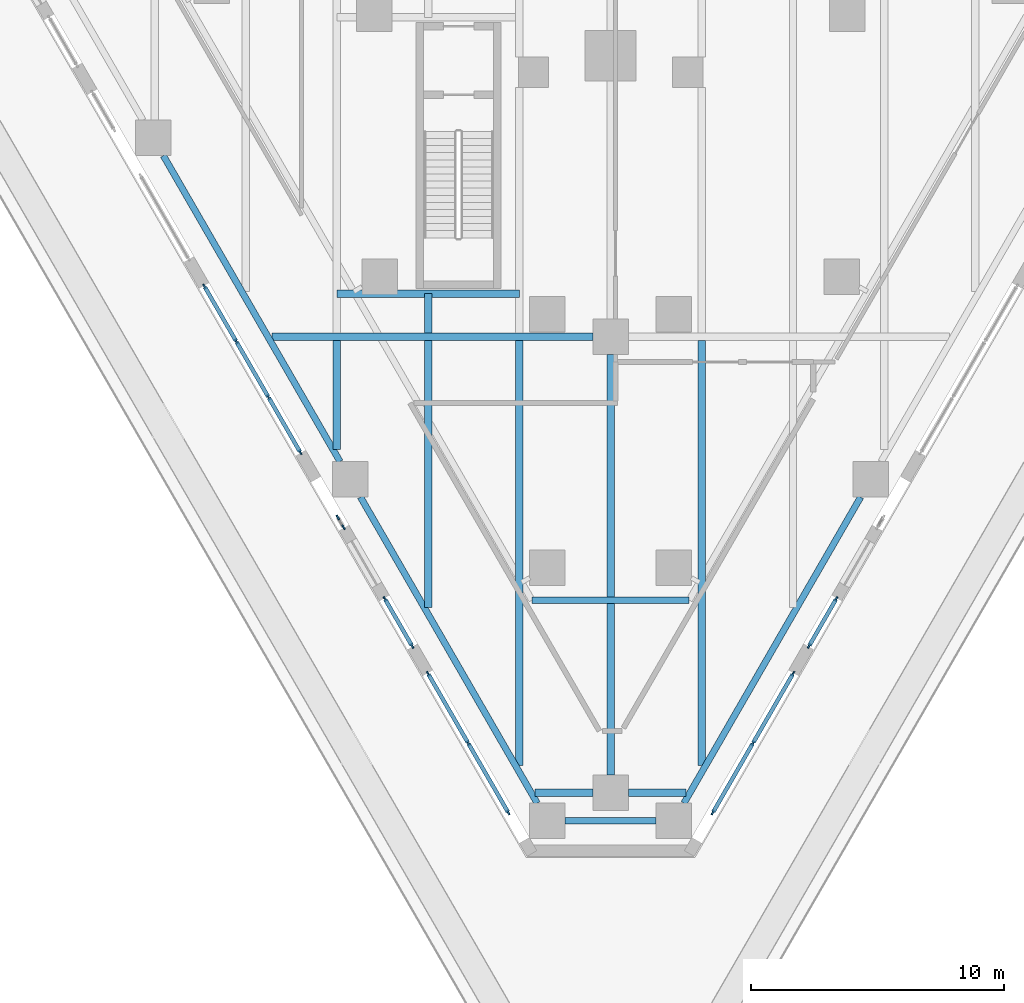
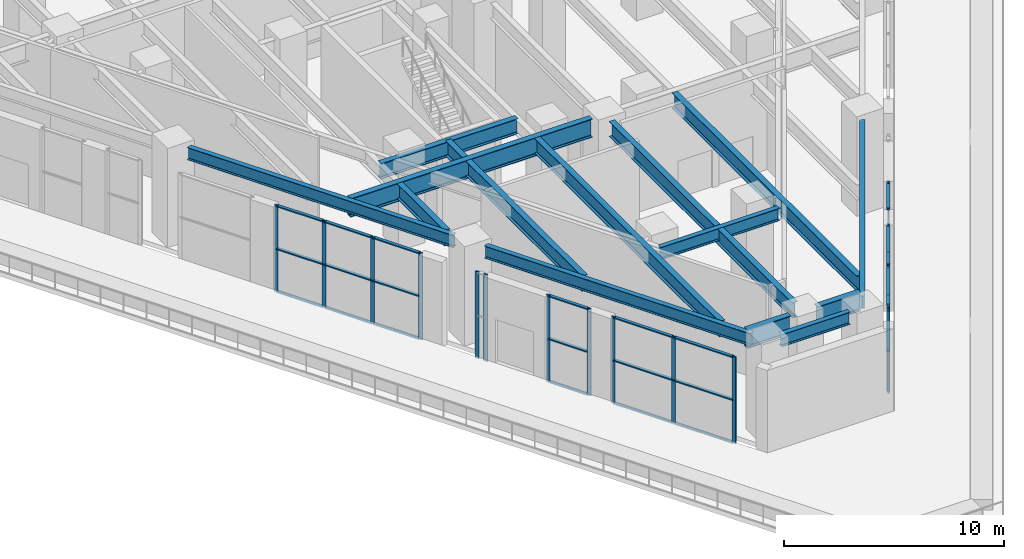
# One storey, part 2 of 30: 43 members, 15 beams, 6 elements without a shape of their own.
"""IFC4 building model written with IfcOpenShell, lengths in metres."""

from ifc_helpers import new_model, si_unit, direction, frame, origin, origin_2d, place, context, subcontext, project, spatial, rectangle, i_section, extrude, material, material_profile, profile_set, type_object, element, aggregate, save


model = new_model("IFC4")

# Units and contexts
model_context = context("Model", 3, precision=1e-05, world=origin(), true_north=direction((0.0, 1.0)))
body_context = subcontext(model_context, "Body", "Model", "MODEL_VIEW")
ifc_project = project(units=[si_unit("LENGTHUNIT", "METRE"), si_unit("AREAUNIT", "SQUARE_METRE"), si_unit("VOLUMEUNIT", "CUBIC_METRE"), si_unit("PLANEANGLEUNIT", "RADIAN"), si_unit("MASSUNIT", "GRAM", prefix="KILO")], contexts=[model_context])

# Site, building, storey
site_placement = place(None, origin())
site = spatial("IfcSite", under=ifc_project, at=site_placement, CompositionType="ELEMENT")
building_placement = place(site_placement, origin())
building = spatial("IfcBuilding", under=site, at=building_placement, Name="Aloe Facet Convention Tower", CompositionType="ELEMENT")
storey_placement = place(building_placement, frame((0.0, 0.0, 19.5)))
storey = spatial("IfcBuildingStorey", under=building, at=storey_placement, Name="L03", CompositionType="ELEMENT", Elevation=19.5)

# Beam
ifc_material_1 = material(Name="Steel S355", Category="steel")
ifc_material_profile_1 = material_profile(ifc_material_1, i_section(OverallWidth=0.25439453125, OverallDepth=0.6875, WebThickness=0.01318359375, FlangeThickness=0.02099609375, FilletRadius=0.01513671875, at=origin_2d()), Name="UB 686x254x152")
ifc_profile_set_1 = profile_set([ifc_material_profile_1], Name="Steel S355")
beam_type_1 = type_object("IfcBeamType", Name="EV-EB-UB686x254x152", PredefinedType="BEAM", material=ifc_profile_set_1)
beam_1_placement = place(storey_placement, frame((76.89501953125, 70.598876953125, 4.90625), z_axis=(1.0, 0.0, 0.0), x_axis=(0.0, 1.0, 0.0)))
element("IfcBeam", 1, at=beam_1_placement, inside=storey, type_object=beam_type_1, Name="EB-L04-B", PredefinedType="BEAM", context=body_context, shape_type="SweptSolid", body=[
    extrude(i_section(OverallWidth=0.25439453125, OverallDepth=0.6875, WebThickness=0.01318359375, FlangeThickness=0.02099609375, FilletRadius=0.01513671875, at=origin_2d()), origin(), (0.0, 0.0, 1.0), 6.2099609375),
])

# Curtain wall, members
ifc_material_2 = material(Name="Aluminium, anodised", Category="aluminium")
curtain_wall_type = type_object("IfcCurtainWallType", Name="EV-CW-HALL", PredefinedType="USERDEFINED", material=ifc_material_2)
curtain_wall_1_placement = place(storey_placement, origin())
curtain_wall_1 = element("IfcCurtainWall", 2, at=curtain_wall_1_placement, inside=storey, type_object=curtain_wall_type, Name="CW-L03-W14", ObjectType="UNITISED HALL GLAZING", PredefinedType="USERDEFINED")
ifc_material_3 = material(Name="Aluminium, anodised", Category="aluminium")
ifc_material_profile_2 = material_profile(ifc_material_3, rectangle(XDim=0.06494140625, YDim=0.199951171875, at=origin_2d()), Name="AL 65x200")
ifc_profile_set_2 = profile_set([ifc_material_profile_2], Name="Aluminium, anodised")
member_type_1 = type_object("IfcMemberType", Name="EV-MULL-HALL", PredefinedType="MULLION", material=ifc_profile_set_2)
member_1_placement = place(storey_placement, frame((63.970947265625, 82.983642578125, -0.25), z_axis=(0.0, 0.0, 1.0), x_axis=(0.866025403802, 0.49999999997, 0.0)))
member_1 = element("IfcMember", 3, at=member_1_placement, type_object=member_type_1, Name="CW-L03-W14 mullion 1", PredefinedType="MULLION", context=body_context, shape_type="SweptSolid", body=[
    extrude(rectangle(XDim=0.06494140625, YDim=0.199951171875, at=origin_2d()), origin(), (0.0, 0.0, 1.0), 4.8125),
])
member_2_placement = place(storey_placement, frame((65.225830078125, 80.81005859375, -0.25), z_axis=(0.0, 0.0, 1.0), x_axis=(0.866025403802, 0.49999999997, 0.0)))
member_2 = element("IfcMember", 4, at=member_2_placement, type_object=member_type_1, Name="CW-L03-W14 mullion 2", PredefinedType="MULLION", context=body_context, shape_type="SweptSolid", body=[
    extrude(rectangle(XDim=0.06494140625, YDim=0.199951171875, at=origin_2d()), origin(), (0.0, 0.0, 1.0), 4.8125),
])
member_3_placement = place(storey_placement, frame((66.496826171875, 78.6083984375, -0.25), z_axis=(0.0, 0.0, 1.0), x_axis=(0.866025403802, 0.49999999997, 0.0)))
member_3 = element("IfcMember", 5, at=member_3_placement, type_object=member_type_1, Name="CW-L03-W14 mullion 3", PredefinedType="MULLION", context=body_context, shape_type="SweptSolid", body=[
    extrude(rectangle(XDim=0.06494140625, YDim=0.199951171875, at=origin_2d()), origin(), (0.0, 0.0, 1.0), 4.8125),
])
member_4_placement = place(storey_placement, frame((67.751708984375, 76.43505859375, -0.25), z_axis=(0.0, 0.0, 1.0), x_axis=(0.866025403802, 0.49999999997, 0.0)))
member_4 = element("IfcMember", 6, at=member_4_placement, type_object=member_type_1, Name="CW-L03-W14 mullion 4", PredefinedType="MULLION", context=body_context, shape_type="SweptSolid", body=[
    extrude(rectangle(XDim=0.06494140625, YDim=0.199951171875, at=origin_2d()), origin(), (0.0, 0.0, 1.0), 4.8125),
])

curtain_wall_2_placement = place(storey_placement, origin())
curtain_wall_2 = element("IfcCurtainWall", 7, at=curtain_wall_2_placement, inside=storey, type_object=curtain_wall_type, Name="CW-L03-W16A", ObjectType="UNITISED HALL GLAZING", PredefinedType="USERDEFINED")
member_5_placement = place(storey_placement, frame((69.23681640625, 73.863037109375, -0.25), z_axis=(0.0, 0.0, 1.0), x_axis=(0.866025403549, 0.500000000408, 0.0)))
member_5 = element("IfcMember", 8, at=member_5_placement, type_object=member_type_1, Name="CW-L03-W16A mullion 1", PredefinedType="MULLION", context=body_context, shape_type="SweptSolid", body=[
    extrude(rectangle(XDim=0.06494140625, YDim=0.199951171875, at=origin_2d()), origin(), (0.0, 0.0, 1.0), 4.8125),
])
member_6_placement = place(storey_placement, frame((69.45849609375, 73.47900390625, -0.25), z_axis=(0.0, 0.0, 1.0), x_axis=(0.866025403549, 0.500000000408, 0.0)))
member_6 = element("IfcMember", 9, at=member_6_placement, type_object=member_type_1, Name="CW-L03-W16A mullion 2", PredefinedType="MULLION", context=body_context, shape_type="SweptSolid", body=[
    extrude(rectangle(XDim=0.06494140625, YDim=0.199951171875, at=origin_2d()), origin(), (0.0, 0.0, 1.0), 4.8125),
])
aggregate(curtain_wall_2, [member_5, member_6])

curtain_wall_3_placement = place(storey_placement, origin())
curtain_wall_3 = element("IfcCurtainWall", 10, at=curtain_wall_3_placement, inside=storey, type_object=curtain_wall_type, Name="CW-L03-W16B", ObjectType="UNITISED HALL GLAZING", PredefinedType="USERDEFINED")
member_7_placement = place(storey_placement, frame((71.091064453125, 70.6513671875, -0.25), z_axis=(0.0, 0.0, 1.0), x_axis=(0.866025403767, 0.50000000003, 0.0)))
member_7 = element("IfcMember", 11, at=member_7_placement, type_object=member_type_1, Name="CW-L03-W16B mullion 1", PredefinedType="MULLION", context=body_context, shape_type="SweptSolid", body=[
    extrude(rectangle(XDim=0.06494140625, YDim=0.199951171875, at=origin_2d()), origin(), (0.0, 0.0, 1.0), 4.8125),
])
member_8_placement = place(storey_placement, frame((72.165283203125, 68.790771484375, -0.25), z_axis=(0.0, 0.0, 1.0), x_axis=(0.866025403767, 0.50000000003, 0.0)))
member_8 = element("IfcMember", 12, at=member_8_placement, type_object=member_type_1, Name="CW-L03-W16B mullion 2", PredefinedType="MULLION", context=body_context, shape_type="SweptSolid", body=[
    extrude(rectangle(XDim=0.06494140625, YDim=0.199951171875, at=origin_2d()), origin(), (0.0, 0.0, 1.0), 4.8125),
])

curtain_wall_4_placement = place(storey_placement, origin())
curtain_wall_4 = element("IfcCurtainWall", 13, at=curtain_wall_4_placement, inside=storey, type_object=curtain_wall_type, Name="CW-L03-W18", ObjectType="UNITISED HALL GLAZING", PredefinedType="USERDEFINED")
member_9_placement = place(storey_placement, frame((72.797607421875, 67.6953125, -0.25), z_axis=(0.0, 0.0, 1.0), x_axis=(0.866025403758, 0.500000000045, 0.0)))
member_9 = element("IfcMember", 14, at=member_9_placement, type_object=member_type_1, Name="CW-L03-W18 mullion 1", PredefinedType="MULLION", context=body_context, shape_type="SweptSolid", body=[
    extrude(rectangle(XDim=0.06494140625, YDim=0.199951171875, at=origin_2d()), origin(), (0.0, 0.0, 1.0), 4.8125),
])
member_10_placement = place(storey_placement, frame((74.3798828125, 64.95458984375, -0.25), z_axis=(0.0, 0.0, 1.0), x_axis=(0.866025403758, 0.500000000045, 0.0)))
member_10 = element("IfcMember", 15, at=member_10_placement, type_object=member_type_1, Name="CW-L03-W18 mullion 2", PredefinedType="MULLION", context=body_context, shape_type="SweptSolid", body=[
    extrude(rectangle(XDim=0.06494140625, YDim=0.199951171875, at=origin_2d()), origin(), (0.0, 0.0, 1.0), 4.8125),
])
member_11_placement = place(storey_placement, frame((75.962158203125, 62.214111328125, -0.25), z_axis=(0.0, 0.0, 1.0), x_axis=(0.866025403758, 0.500000000045, 0.0)))
member_11 = element("IfcMember", 16, at=member_11_placement, type_object=member_type_1, Name="CW-L03-W18 mullion 3", PredefinedType="MULLION", context=body_context, shape_type="SweptSolid", body=[
    extrude(rectangle(XDim=0.06494140625, YDim=0.199951171875, at=origin_2d()), origin(), (0.0, 0.0, 1.0), 4.8125),
])

curtain_wall_5_placement = place(storey_placement, origin())
curtain_wall_5 = element("IfcCurtainWall", 17, at=curtain_wall_5_placement, inside=storey, type_object=curtain_wall_type, Name="CW-L03-E02", ObjectType="UNITISED HALL GLAZING", PredefinedType="USERDEFINED")
member_12_placement = place(storey_placement, frame((84.037841796875, 62.214111328125, -0.25), z_axis=(0.0, 0.0, 1.0), x_axis=(-0.866025403758, 0.500000000045, 0.0)))
member_12 = element("IfcMember", 18, at=member_12_placement, type_object=member_type_1, Name="CW-L03-E02 mullion 1", PredefinedType="MULLION", context=body_context, shape_type="SweptSolid", body=[
    extrude(rectangle(XDim=0.06494140625, YDim=0.199951171875, at=origin_2d()), origin(), (0.0, 0.0, 1.0), 4.8125),
])
member_13_placement = place(storey_placement, frame((85.6201171875, 64.95458984375, -0.25), z_axis=(0.0, 0.0, 1.0), x_axis=(-0.866025403758, 0.500000000045, 0.0)))
member_13 = element("IfcMember", 19, at=member_13_placement, type_object=member_type_1, Name="CW-L03-E02 mullion 2", PredefinedType="MULLION", context=body_context, shape_type="SweptSolid", body=[
    extrude(rectangle(XDim=0.06494140625, YDim=0.199951171875, at=origin_2d()), origin(), (0.0, 0.0, 1.0), 4.8125),
])
member_14_placement = place(storey_placement, frame((87.202392578125, 67.6953125, -0.25), z_axis=(0.0, 0.0, 1.0), x_axis=(-0.866025403758, 0.500000000045, 0.0)))
member_14 = element("IfcMember", 20, at=member_14_placement, type_object=member_type_1, Name="CW-L03-E02 mullion 3", PredefinedType="MULLION", context=body_context, shape_type="SweptSolid", body=[
    extrude(rectangle(XDim=0.06494140625, YDim=0.199951171875, at=origin_2d()), origin(), (0.0, 0.0, 1.0), 4.8125),
])

curtain_wall_6_placement = place(storey_placement, origin())
curtain_wall_6 = element("IfcCurtainWall", 21, at=curtain_wall_6_placement, inside=storey, type_object=curtain_wall_type, Name="CW-L03-E04A", ObjectType="UNITISED HALL GLAZING", PredefinedType="USERDEFINED")
member_15_placement = place(storey_placement, frame((87.834716796875, 68.790771484375, -0.25), z_axis=(0.0, 0.0, 1.0), x_axis=(-0.866025403767, 0.50000000003, 0.0)))
member_15 = element("IfcMember", 22, at=member_15_placement, type_object=member_type_1, Name="CW-L03-E04A mullion 1", PredefinedType="MULLION", context=body_context, shape_type="SweptSolid", body=[
    extrude(rectangle(XDim=0.06494140625, YDim=0.199951171875, at=origin_2d()), origin(), (0.0, 0.0, 1.0), 4.8125),
])
member_16_placement = place(storey_placement, frame((88.908935546875, 70.6513671875, -0.25), z_axis=(0.0, 0.0, 1.0), x_axis=(-0.866025403767, 0.50000000003, 0.0)))
member_16 = element("IfcMember", 23, at=member_16_placement, type_object=member_type_1, Name="CW-L03-E04A mullion 2", PredefinedType="MULLION", context=body_context, shape_type="SweptSolid", body=[
    extrude(rectangle(XDim=0.06494140625, YDim=0.199951171875, at=origin_2d()), origin(), (0.0, 0.0, 1.0), 4.8125),
])

# Member
ifc_material_4 = material(Name="Aluminium, anodised", Category="aluminium")
ifc_material_profile_3 = material_profile(ifc_material_4, rectangle(XDim=0.159912109375, YDim=0.06494140625, at=origin_2d()), Name="AL 160x65")
ifc_profile_set_3 = profile_set([ifc_material_profile_3], Name="Aluminium, anodised")
member_type_2 = type_object("IfcMemberType", Name="EV-TRAN-HALL", PredefinedType="USERDEFINED", material=ifc_profile_set_3)
member_17_placement = place(storey_placement, frame((63.9873046875, 82.95556640625, -0.217529296875), z_axis=(0.499941460885, -0.86605919872, 0.0), x_axis=(0.86605919872, 0.499941460885, 0.0)))
member_17 = element("IfcMember", 24, at=member_17_placement, type_object=member_type_2, Name="CW-L03-W14 transom 1.1", ObjectType="TRANSOM", PredefinedType="USERDEFINED", context=body_context, shape_type="SweptSolid", body=[
    extrude(rectangle(XDim=0.159912109375, YDim=0.06494140625, at=origin_2d()), origin(), (0.0, 0.0, 1.0), 2.444580078125),
])

member_18_placement = place(storey_placement, frame((63.9873046875, 82.95556640625, 2.15625), z_axis=(0.499941460885, -0.86605919872, 0.0), x_axis=(0.86605919872, 0.499941460885, 0.0)))
member_18 = element("IfcMember", 25, at=member_18_placement, type_object=member_type_2, Name="CW-L03-W14 transom 1.2", ObjectType="TRANSOM", PredefinedType="USERDEFINED", context=body_context, shape_type="SweptSolid", body=[
    extrude(rectangle(XDim=0.159912109375, YDim=0.06494140625, at=origin_2d()), origin(), (0.0, 0.0, 1.0), 2.444580078125),
])

member_19_placement = place(storey_placement, frame((63.9873046875, 82.95556640625, 4.530029296875), z_axis=(0.499941460885, -0.86605919872, 0.0), x_axis=(0.86605919872, 0.499941460885, 0.0)))
member_19 = element("IfcMember", 26, at=member_19_placement, type_object=member_type_2, Name="CW-L03-W14 transom 1.3", ObjectType="TRANSOM", PredefinedType="USERDEFINED", context=body_context, shape_type="SweptSolid", body=[
    extrude(rectangle(XDim=0.159912109375, YDim=0.06494140625, at=origin_2d()), origin(), (0.0, 0.0, 1.0), 2.444580078125),
])

member_20_placement = place(storey_placement, frame((65.2421875, 80.781982421875, -0.217529296875), z_axis=(0.499986929959, -0.866032949645, 0.0), x_axis=(0.866032949645, 0.499986929959, 0.0)))
member_20 = element("IfcMember", 27, at=member_20_placement, type_object=member_type_2, Name="CW-L03-W14 transom 2.1", ObjectType="TRANSOM", PredefinedType="USERDEFINED", context=body_context, shape_type="SweptSolid", body=[
    extrude(rectangle(XDim=0.159912109375, YDim=0.06494140625, at=origin_2d()), origin(), (0.0, 0.0, 1.0), 2.47705078125),
])

member_21_placement = place(storey_placement, frame((65.2421875, 80.781982421875, 2.15625), z_axis=(0.499986929959, -0.866032949645, 0.0), x_axis=(0.866032949645, 0.499986929959, 0.0)))
member_21 = element("IfcMember", 28, at=member_21_placement, type_object=member_type_2, Name="CW-L03-W14 transom 2.2", ObjectType="TRANSOM", PredefinedType="USERDEFINED", context=body_context, shape_type="SweptSolid", body=[
    extrude(rectangle(XDim=0.159912109375, YDim=0.06494140625, at=origin_2d()), origin(), (0.0, 0.0, 1.0), 2.47705078125),
])

member_22_placement = place(storey_placement, frame((65.2421875, 80.781982421875, 4.530029296875), z_axis=(0.499986929959, -0.866032949645, 0.0), x_axis=(0.866032949645, 0.499986929959, 0.0)))
member_22 = element("IfcMember", 29, at=member_22_placement, type_object=member_type_2, Name="CW-L03-W14 transom 2.3", ObjectType="TRANSOM", PredefinedType="USERDEFINED", context=body_context, shape_type="SweptSolid", body=[
    extrude(rectangle(XDim=0.159912109375, YDim=0.06494140625, at=origin_2d()), origin(), (0.0, 0.0, 1.0), 2.47705078125),
])

member_23_placement = place(storey_placement, frame((66.51318359375, 78.580322265625, -0.217529296875), z_axis=(0.500016362458, -0.866015956709, 0.0), x_axis=(0.866015956709, 0.500016362458, 0.0)))
member_23 = element("IfcMember", 30, at=member_23_placement, type_object=member_type_2, Name="CW-L03-W14 transom 3.1", ObjectType="TRANSOM", PredefinedType="USERDEFINED", context=body_context, shape_type="SweptSolid", body=[
    extrude(rectangle(XDim=0.159912109375, YDim=0.06494140625, at=origin_2d()), origin(), (0.0, 0.0, 1.0), 2.44482421875),
])

member_24_placement = place(storey_placement, frame((66.51318359375, 78.580322265625, 2.15625), z_axis=(0.500016362458, -0.866015956709, 0.0), x_axis=(0.866015956709, 0.500016362458, 0.0)))
member_24 = element("IfcMember", 31, at=member_24_placement, type_object=member_type_2, Name="CW-L03-W14 transom 3.2", ObjectType="TRANSOM", PredefinedType="USERDEFINED", context=body_context, shape_type="SweptSolid", body=[
    extrude(rectangle(XDim=0.159912109375, YDim=0.06494140625, at=origin_2d()), origin(), (0.0, 0.0, 1.0), 2.44482421875),
])

member_25_placement = place(storey_placement, frame((66.51318359375, 78.580322265625, 4.530029296875), z_axis=(0.500016362458, -0.866015956709, 0.0), x_axis=(0.866015956709, 0.500016362458, 0.0)))
member_25 = element("IfcMember", 32, at=member_25_placement, type_object=member_type_2, Name="CW-L03-W14 transom 3.3", ObjectType="TRANSOM", PredefinedType="USERDEFINED", context=body_context, shape_type="SweptSolid", body=[
    extrude(rectangle(XDim=0.159912109375, YDim=0.06494140625, at=origin_2d()), origin(), (0.0, 0.0, 1.0), 2.44482421875),
])

aggregate(curtain_wall_1, [member_1, member_2, member_3, member_4, member_17, member_18, member_19, member_20, member_21, member_22, member_23, member_24, member_25])

member_26_placement = place(storey_placement, frame((71.107177734375, 70.623291015625, -0.217529296875), z_axis=(0.499982789375, -0.866035340115, 0.0), x_axis=(0.866035340115, 0.499982789375, 0.0)))
member_26 = element("IfcMember", 33, at=member_26_placement, type_object=member_type_2, Name="CW-L03-W16B transom 1.1", ObjectType="TRANSOM", PredefinedType="USERDEFINED", context=body_context, shape_type="SweptSolid", body=[
    extrude(rectangle(XDim=0.159912109375, YDim=0.06494140625, at=origin_2d()), origin(), (0.0, 0.0, 1.0), 2.08349609375),
])

member_27_placement = place(storey_placement, frame((71.107177734375, 70.623291015625, 2.15625), z_axis=(0.499982789375, -0.866035340115, 0.0), x_axis=(0.866035340115, 0.499982789375, 0.0)))
member_27 = element("IfcMember", 34, at=member_27_placement, type_object=member_type_2, Name="CW-L03-W16B transom 1.2", ObjectType="TRANSOM", PredefinedType="USERDEFINED", context=body_context, shape_type="SweptSolid", body=[
    extrude(rectangle(XDim=0.159912109375, YDim=0.06494140625, at=origin_2d()), origin(), (0.0, 0.0, 1.0), 2.08349609375),
])

member_28_placement = place(storey_placement, frame((71.107177734375, 70.623291015625, 4.530029296875), z_axis=(0.499982789375, -0.866035340115, 0.0), x_axis=(0.866035340115, 0.499982789375, 0.0)))
member_28 = element("IfcMember", 35, at=member_28_placement, type_object=member_type_2, Name="CW-L03-W16B transom 1.3", ObjectType="TRANSOM", PredefinedType="USERDEFINED", context=body_context, shape_type="SweptSolid", body=[
    extrude(rectangle(XDim=0.159912109375, YDim=0.06494140625, at=origin_2d()), origin(), (0.0, 0.0, 1.0), 2.08349609375),
])

aggregate(curtain_wall_3, [member_7, member_8, member_26, member_27, member_28])

member_29_placement = place(storey_placement, frame((72.81396484375, 67.6669921875, -0.217529296875), z_axis=(0.500036104519, -0.866004557827, 0.0), x_axis=(0.866004557827, 0.500036104519, 0.0)))
member_29 = element("IfcMember", 36, at=member_29_placement, type_object=member_type_2, Name="CW-L03-W18 transom 1.1", ObjectType="TRANSOM", PredefinedType="USERDEFINED", context=body_context, shape_type="SweptSolid", body=[
    extrude(rectangle(XDim=0.159912109375, YDim=0.06494140625, at=origin_2d()), origin(), (0.0, 0.0, 1.0), 3.099365234375),
])

member_30_placement = place(storey_placement, frame((72.81396484375, 67.6669921875, 2.15625), z_axis=(0.500036104519, -0.866004557827, 0.0), x_axis=(0.866004557827, 0.500036104519, 0.0)))
member_30 = element("IfcMember", 37, at=member_30_placement, type_object=member_type_2, Name="CW-L03-W18 transom 1.2", ObjectType="TRANSOM", PredefinedType="USERDEFINED", context=body_context, shape_type="SweptSolid", body=[
    extrude(rectangle(XDim=0.159912109375, YDim=0.06494140625, at=origin_2d()), origin(), (0.0, 0.0, 1.0), 3.099365234375),
])

member_31_placement = place(storey_placement, frame((72.81396484375, 67.6669921875, 4.530029296875), z_axis=(0.500036104519, -0.866004557827, 0.0), x_axis=(0.866004557827, 0.500036104519, 0.0)))
member_31 = element("IfcMember", 38, at=member_31_placement, type_object=member_type_2, Name="CW-L03-W18 transom 1.3", ObjectType="TRANSOM", PredefinedType="USERDEFINED", context=body_context, shape_type="SweptSolid", body=[
    extrude(rectangle(XDim=0.159912109375, YDim=0.06494140625, at=origin_2d()), origin(), (0.0, 0.0, 1.0), 3.099365234375),
])

member_32_placement = place(storey_placement, frame((74.396240234375, 64.926513671875, -0.217529296875), z_axis=(0.500001996123, -0.866024251319, 0.0), x_axis=(0.866024251319, 0.500001996123, 0.0)))
member_32 = element("IfcMember", 39, at=member_32_placement, type_object=member_type_2, Name="CW-L03-W18 transom 2.1", ObjectType="TRANSOM", PredefinedType="USERDEFINED", context=body_context, shape_type="SweptSolid", body=[
    extrude(rectangle(XDim=0.159912109375, YDim=0.06494140625, at=origin_2d()), origin(), (0.0, 0.0, 1.0), 3.099609375),
])

member_33_placement = place(storey_placement, frame((74.396240234375, 64.926513671875, 2.15625), z_axis=(0.500001996123, -0.866024251319, 0.0), x_axis=(0.866024251319, 0.500001996123, 0.0)))
member_33 = element("IfcMember", 40, at=member_33_placement, type_object=member_type_2, Name="CW-L03-W18 transom 2.2", ObjectType="TRANSOM", PredefinedType="USERDEFINED", context=body_context, shape_type="SweptSolid", body=[
    extrude(rectangle(XDim=0.159912109375, YDim=0.06494140625, at=origin_2d()), origin(), (0.0, 0.0, 1.0), 3.099609375),
])

member_34_placement = place(storey_placement, frame((74.396240234375, 64.926513671875, 4.530029296875), z_axis=(0.500001996123, -0.866024251319, 0.0), x_axis=(0.866024251319, 0.500001996123, 0.0)))
member_34 = element("IfcMember", 41, at=member_34_placement, type_object=member_type_2, Name="CW-L03-W18 transom 2.3", ObjectType="TRANSOM", PredefinedType="USERDEFINED", context=body_context, shape_type="SweptSolid", body=[
    extrude(rectangle(XDim=0.159912109375, YDim=0.06494140625, at=origin_2d()), origin(), (0.0, 0.0, 1.0), 3.099609375),
])

aggregate(curtain_wall_4, [member_9, member_10, member_11, member_29, member_30, member_31, member_32, member_33, member_34])

member_35_placement = place(storey_placement, frame((84.053955078125, 62.2421875, -0.217529296875), z_axis=(0.500001996123, 0.866024251319, 0.0), x_axis=(-0.866024251319, 0.500001996123, 0.0)))
member_35 = element("IfcMember", 42, at=member_35_placement, type_object=member_type_2, Name="CW-L03-E02 transom 1.1", ObjectType="TRANSOM", PredefinedType="USERDEFINED", context=body_context, shape_type="SweptSolid", body=[
    extrude(rectangle(XDim=0.159912109375, YDim=0.06494140625, at=origin_2d()), origin(), (0.0, 0.0, 1.0), 3.099609375),
])

member_36_placement = place(storey_placement, frame((84.053955078125, 62.2421875, 2.15625), z_axis=(0.500001996123, 0.866024251319, 0.0), x_axis=(-0.866024251319, 0.500001996123, 0.0)))
member_36 = element("IfcMember", 43, at=member_36_placement, type_object=member_type_2, Name="CW-L03-E02 transom 1.2", ObjectType="TRANSOM", PredefinedType="USERDEFINED", context=body_context, shape_type="SweptSolid", body=[
    extrude(rectangle(XDim=0.159912109375, YDim=0.06494140625, at=origin_2d()), origin(), (0.0, 0.0, 1.0), 3.099609375),
])

member_37_placement = place(storey_placement, frame((84.053955078125, 62.2421875, 4.530029296875), z_axis=(0.500001996123, 0.866024251319, 0.0), x_axis=(-0.866024251319, 0.500001996123, 0.0)))
member_37 = element("IfcMember", 44, at=member_37_placement, type_object=member_type_2, Name="CW-L03-E02 transom 1.3", ObjectType="TRANSOM", PredefinedType="USERDEFINED", context=body_context, shape_type="SweptSolid", body=[
    extrude(rectangle(XDim=0.159912109375, YDim=0.06494140625, at=origin_2d()), origin(), (0.0, 0.0, 1.0), 3.099609375),
])

member_38_placement = place(storey_placement, frame((85.63623046875, 64.98291015625, -0.217529296875), z_axis=(0.500036104519, 0.866004557827, 0.0), x_axis=(-0.866004557827, 0.500036104519, 0.0)))
member_38 = element("IfcMember", 45, at=member_38_placement, type_object=member_type_2, Name="CW-L03-E02 transom 2.1", ObjectType="TRANSOM", PredefinedType="USERDEFINED", context=body_context, shape_type="SweptSolid", body=[
    extrude(rectangle(XDim=0.159912109375, YDim=0.06494140625, at=origin_2d()), origin(), (0.0, 0.0, 1.0), 3.099365234375),
])

member_39_placement = place(storey_placement, frame((85.63623046875, 64.98291015625, 2.15625), z_axis=(0.500036104519, 0.866004557827, 0.0), x_axis=(-0.866004557827, 0.500036104519, 0.0)))
member_39 = element("IfcMember", 46, at=member_39_placement, type_object=member_type_2, Name="CW-L03-E02 transom 2.2", ObjectType="TRANSOM", PredefinedType="USERDEFINED", context=body_context, shape_type="SweptSolid", body=[
    extrude(rectangle(XDim=0.159912109375, YDim=0.06494140625, at=origin_2d()), origin(), (0.0, 0.0, 1.0), 3.099365234375),
])

member_40_placement = place(storey_placement, frame((85.63623046875, 64.98291015625, 4.530029296875), z_axis=(0.500036104519, 0.866004557827, 0.0), x_axis=(-0.866004557827, 0.500036104519, 0.0)))
member_40 = element("IfcMember", 47, at=member_40_placement, type_object=member_type_2, Name="CW-L03-E02 transom 2.3", ObjectType="TRANSOM", PredefinedType="USERDEFINED", context=body_context, shape_type="SweptSolid", body=[
    extrude(rectangle(XDim=0.159912109375, YDim=0.06494140625, at=origin_2d()), origin(), (0.0, 0.0, 1.0), 3.099365234375),
])

aggregate(curtain_wall_5, [member_12, member_13, member_14, member_35, member_36, member_37, member_38, member_39, member_40])

member_41_placement = place(storey_placement, frame((87.85107421875, 68.81884765625, -0.217529296875), z_axis=(0.499982789375, 0.866035340115, 0.0), x_axis=(-0.866035340115, 0.499982789375, 0.0)))
member_41 = element("IfcMember", 48, at=member_41_placement, type_object=member_type_2, Name="CW-L03-E04A transom 1.1", ObjectType="TRANSOM", PredefinedType="USERDEFINED", context=body_context, shape_type="SweptSolid", body=[
    extrude(rectangle(XDim=0.159912109375, YDim=0.06494140625, at=origin_2d()), origin(), (0.0, 0.0, 1.0), 2.08349609375),
])

member_42_placement = place(storey_placement, frame((87.85107421875, 68.81884765625, 2.15625), z_axis=(0.499982789375, 0.866035340115, 0.0), x_axis=(-0.866035340115, 0.499982789375, 0.0)))
member_42 = element("IfcMember", 49, at=member_42_placement, type_object=member_type_2, Name="CW-L03-E04A transom 1.2", ObjectType="TRANSOM", PredefinedType="USERDEFINED", context=body_context, shape_type="SweptSolid", body=[
    extrude(rectangle(XDim=0.159912109375, YDim=0.06494140625, at=origin_2d()), origin(), (0.0, 0.0, 1.0), 2.08349609375),
])

member_43_placement = place(storey_placement, frame((87.85107421875, 68.81884765625, 4.530029296875), z_axis=(0.499982789375, 0.866035340115, 0.0), x_axis=(-0.866035340115, 0.499982789375, 0.0)))
member_43 = element("IfcMember", 50, at=member_43_placement, type_object=member_type_2, Name="CW-L03-E04A transom 1.3", ObjectType="TRANSOM", PredefinedType="USERDEFINED", context=body_context, shape_type="SweptSolid", body=[
    extrude(rectangle(XDim=0.159912109375, YDim=0.06494140625, at=origin_2d()), origin(), (0.0, 0.0, 1.0), 2.08349609375),
])

aggregate(curtain_wall_6, [member_15, member_16, member_41, member_42, member_43])

# Beams
ifc_material_5 = material(Name="Steel S355", Category="steel")
ifc_material_profile_4 = material_profile(ifc_material_5, i_section(OverallWidth=0.305419921875, OverallDepth=1.02587890625, WebThickness=0.02001953125, FlangeThickness=0.031005859375, FilletRadius=0.030029296875, at=origin_2d()), Name="UB 1016x305x349")
ifc_profile_set_4 = profile_set([ifc_material_profile_4], Name="Steel S355")
beam_type_2 = type_object("IfcBeamType", Name="SF-B-UB1016x305x349", PredefinedType="BEAM", material=ifc_profile_set_4)
beam_2_placement = place(storey_placement, frame((66.6298828125, 81.0, 4.737060546875), z_axis=(1.0, 0.0, 0.0), x_axis=(0.0, 1.0, 0.0)))
element("IfcBeam", 51, at=beam_2_placement, inside=storey, type_object=beam_type_2, Name="Floor beam FB-L04-026", PredefinedType="BEAM", context=body_context, shape_type="SweptSolid", body=[
    extrude(i_section(OverallWidth=0.305419921875, OverallDepth=1.02587890625, WebThickness=0.02001953125, FlangeThickness=0.031005859375, FilletRadius=0.030029296875, at=origin_2d()), origin(), (0.0, 0.0, 1.0), 12.670166015625),
])
for number, where, z_axis, x_axis, name in (
    (52, (77.022216796875, 63.0, 4.737060546875), (1.0, 0.0, 0.0), (0.0, 1.0, 0.0), "Floor beam FB-L04-027"),
    (53, (80.699951171875, 63.0, 4.737060546875), (1.0, 0.0, 0.0), (0.0, 1.0, 0.0), "Floor beam FB-L04-028"),
):
    element("IfcBeam", number, at=place(storey_placement, frame(where, z_axis=z_axis, x_axis=x_axis)), inside=storey, type_object=beam_type_2, Name=name, PredefinedType="BEAM", context=body_context, shape_type="SweptSolid", body=[
        extrude(i_section(OverallWidth=0.305419921875, OverallDepth=1.02587890625, WebThickness=0.02001953125, FlangeThickness=0.031005859375, FilletRadius=0.030029296875, at=origin_2d()), origin(), (0.0, 0.0, 1.0), 2.27783203125),
    ])
ifc_material_6 = material(Name="Steel S355", Category="steel")
ifc_material_profile_5 = material_profile(ifc_material_6, i_section(OverallWidth=0.25439453125, OverallDepth=0.6875, WebThickness=0.01318359375, FlangeThickness=0.02099609375, FilletRadius=0.01513671875, at=origin_2d()), Name="UB 686x254x152")
ifc_profile_set_5 = profile_set([ifc_material_profile_5], Name="Steel S355")
beam_type_3 = type_object("IfcBeamType", Name="SF-B-UB686x254x152", PredefinedType="BEAM", material=ifc_profile_set_5)
beam_3_placement = place(storey_placement, frame((69.321533203125, 76.06591796875, 4.90625), z_axis=(-0.499987109246, 0.866032846137, 0.0), x_axis=(-0.866032846137, -0.499987109246, 0.0)))
element("IfcBeam", 54, at=beam_3_placement, inside=storey, type_object=beam_type_3, Name="Floor beam FB-L04-009", PredefinedType="BEAM", context=body_context, shape_type="SweptSolid", body=[
    extrude(i_section(OverallWidth=0.25439453125, OverallDepth=0.6875, WebThickness=0.01318359375, FlangeThickness=0.02099609375, FilletRadius=0.01513671875, at=origin_2d()), origin(), (0.0, 0.0, 1.0), 13.947509765625),
])
beam_4_placement = place(storey_placement, frame((77.104248046875, 62.5859375, 4.90625), z_axis=(-0.499996175863, 0.86602761164, 0.0), x_axis=(-0.86602761164, -0.499996175863, 0.0)))
element("IfcBeam", 55, at=beam_4_placement, inside=storey, type_object=beam_type_3, Name="Floor beam FB-L04-010", PredefinedType="BEAM", context=body_context, shape_type="SweptSolid", body=[
    extrude(i_section(OverallWidth=0.25439453125, OverallDepth=0.6875, WebThickness=0.01318359375, FlangeThickness=0.02099609375, FilletRadius=0.01513671875, at=origin_2d()), origin(), (0.0, 0.0, 1.0), 13.94873046875),
])
beam_5_placement = place(storey_placement, frame((81.7919921875, 61.88623046875, 4.90625), z_axis=(-1.0, 0.0, 0.0), x_axis=(0.0, -1.0, 0.0)))
element("IfcBeam", 56, at=beam_5_placement, inside=storey, type_object=beam_type_3, Name="Floor beam FB-L04-011", PredefinedType="BEAM", context=body_context, shape_type="SweptSolid", body=[
    extrude(i_section(OverallWidth=0.25439453125, OverallDepth=0.6875, WebThickness=0.01318359375, FlangeThickness=0.02099609375, FilletRadius=0.01513671875, at=origin_2d()), origin(), (0.0, 0.0, 1.0), 3.583984375),
])
beam_6_placement = place(storey_placement, frame((89.8701171875, 74.666015625, 4.90625), z_axis=(-0.499996175863, -0.86602761164, 0.0), x_axis=(0.86602761164, -0.499996175863, 0.0)))
element("IfcBeam", 57, at=beam_6_placement, inside=storey, type_object=beam_type_3, Name="Floor beam FB-L04-012", PredefinedType="BEAM", context=body_context, shape_type="SweptSolid", body=[
    extrude(i_section(OverallWidth=0.25439453125, OverallDepth=0.6875, WebThickness=0.01318359375, FlangeThickness=0.02099609375, FilletRadius=0.01513671875, at=origin_2d()), origin(), (0.0, 0.0, 1.0), 13.94873046875),
])
ifc_material_7 = material(Name="Steel S355", Category="steel")
ifc_material_profile_6 = material_profile(ifc_material_7, i_section(OverallWidth=0.293701171875, OverallDepth=0.850830078125, WebThickness=0.01611328125, FlangeThickness=0.02685546875, FilletRadius=0.017822265625, at=origin_2d()), Name="UB 838x292x226")
ifc_profile_set_6 = profile_set([ifc_material_profile_6], Name="Steel S355")
beam_type_4 = type_object("IfcBeamType", Name="SF-B-UB838x292x226", PredefinedType="BEAM", material=ifc_profile_set_6)
beam_7_placement = place(storey_placement, frame((69.199951171875, 76.541259765625, 4.824462890625), z_axis=(0.0, 1.0, 0.0), x_axis=(-1.0, 0.0, 0.0)))
element("IfcBeam", 58, at=beam_7_placement, inside=storey, type_object=beam_type_4, Name="Floor beam FB-L04-053", PredefinedType="BEAM", context=body_context, shape_type="SweptSolid", body=[
    extrude(i_section(OverallWidth=0.293701171875, OverallDepth=0.850830078125, WebThickness=0.01611328125, FlangeThickness=0.02685546875, FilletRadius=0.017822265625, at=origin_2d()), origin(), (0.0, 0.0, 1.0), 4.30615234375),
])
beam_8_placement = place(storey_placement, frame((69.199951171875, 82.699951171875, 4.824462890625), z_axis=(1.0, 0.0, 0.0), x_axis=(0.0, 1.0, 0.0)))
element("IfcBeam", 59, at=beam_8_placement, inside=storey, type_object=beam_type_4, Name="Floor beam FB-L04-055", PredefinedType="BEAM", context=body_context, shape_type="SweptSolid", body=[
    extrude(i_section(OverallWidth=0.293701171875, OverallDepth=0.850830078125, WebThickness=0.01611328125, FlangeThickness=0.02685546875, FilletRadius=0.017822265625, at=origin_2d()), origin(), (0.0, 0.0, 1.0), 7.199951171875),
])
beam_9_placement = place(storey_placement, frame((72.800048828125, 70.305908203125, 4.824462890625), z_axis=(0.0, 1.0, 0.0), x_axis=(-1.0, 0.0, 0.0)))
element("IfcBeam", 60, at=beam_9_placement, inside=storey, type_object=beam_type_4, Name="Floor beam FB-L04-059", PredefinedType="BEAM", context=body_context, shape_type="SweptSolid", body=[
    extrude(i_section(OverallWidth=0.293701171875, OverallDepth=0.850830078125, WebThickness=0.01611328125, FlangeThickness=0.02685546875, FilletRadius=0.017822265625, at=origin_2d()), origin(), (0.0, 0.0, 1.0), 10.54150390625),
])
beam_10_placement = place(storey_placement, frame((72.800048828125, 81.152587890625, 4.824462890625), z_axis=(0.0, 1.0, 0.0), x_axis=(-1.0, 0.0, 0.0)))
element("IfcBeam", 61, at=beam_10_placement, inside=storey, type_object=beam_type_4, Name="Floor beam FB-L04-060", PredefinedType="BEAM", context=body_context, shape_type="SweptSolid", body=[
    extrude(i_section(OverallWidth=0.293701171875, OverallDepth=0.850830078125, WebThickness=0.01611328125, FlangeThickness=0.02685546875, FilletRadius=0.017822265625, at=origin_2d()), origin(), (0.0, 0.0, 1.0), 1.54736328125),
])
beam_11_placement = place(storey_placement, frame((76.39990234375, 64.0703125, 4.824462890625), z_axis=(0.0, 1.0, 0.0), x_axis=(-1.0, 0.0, 0.0)))
element("IfcBeam", 62, at=beam_11_placement, inside=storey, type_object=beam_type_4, Name="Floor beam FB-L04-065", PredefinedType="BEAM", context=body_context, shape_type="SweptSolid", body=[
    extrude(i_section(OverallWidth=0.293701171875, OverallDepth=0.850830078125, WebThickness=0.01611328125, FlangeThickness=0.02685546875, FilletRadius=0.017822265625, at=origin_2d()), origin(), (0.0, 0.0, 1.0), 16.777099609375),
])
beam_12_placement = place(storey_placement, frame((80.0, 63.699951171875, 4.824462890625), z_axis=(0.0, 1.0, 0.0), x_axis=(-1.0, 0.0, 0.0)))
element("IfcBeam", 63, at=beam_12_placement, inside=storey, type_object=beam_type_4, Name="Floor beam FB-L04-070", PredefinedType="BEAM", context=body_context, shape_type="SweptSolid", body=[
    extrude(i_section(OverallWidth=0.293701171875, OverallDepth=0.850830078125, WebThickness=0.01611328125, FlangeThickness=0.02685546875, FilletRadius=0.017822265625, at=origin_2d()), origin(), (0.0, 0.0, 1.0), 16.60009765625),
])
beam_13_placement = place(storey_placement, frame((83.60009765625, 64.0703125, 4.824462890625), z_axis=(0.0, 1.0, 0.0), x_axis=(-1.0, 0.0, 0.0)))
element("IfcBeam", 64, at=beam_13_placement, inside=storey, type_object=beam_type_4, Name="Floor beam FB-L04-075", PredefinedType="BEAM", context=body_context, shape_type="SweptSolid", body=[
    extrude(i_section(OverallWidth=0.293701171875, OverallDepth=0.850830078125, WebThickness=0.01611328125, FlangeThickness=0.02685546875, FilletRadius=0.017822265625, at=origin_2d()), origin(), (0.0, 0.0, 1.0), 16.777099609375),
])

save(model, "model.ifc")
